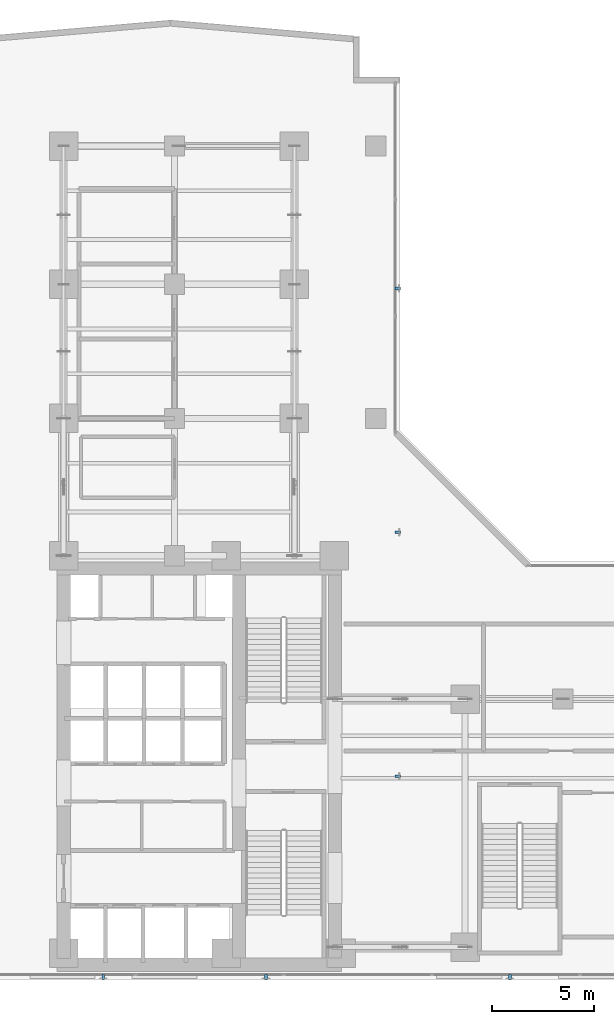
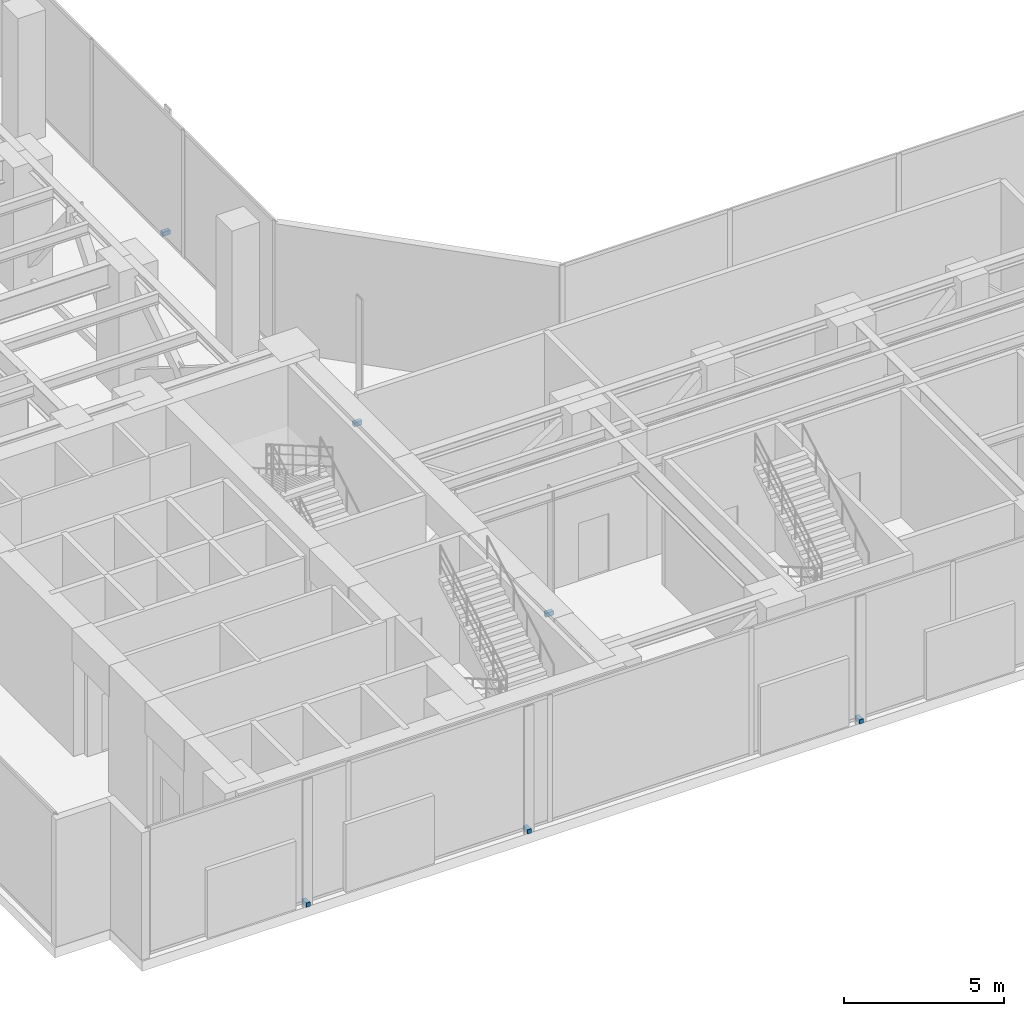
# One storey, part 34 of 37: 6 discrete accessories.
"""IFC4 building model written with IfcOpenShell, lengths in metres."""

from ifc_helpers import new_model, si_unit, direction, frame, origin, origin_with_axes, origin_2d, place, context, subcontext, project, spatial, rectangle, extrude, source, transform, mapped, material, type_object, element, save


model = new_model("IFC4")

# Units and contexts
model_context = context("Model", 3, precision=1e-05, world=origin(), true_north=direction((0.0, 1.0)))
body_context = subcontext(model_context, "Body", "Model", "MODEL_VIEW")
ifc_project = project(units=[si_unit("LENGTHUNIT", "METRE"), si_unit("AREAUNIT", "SQUARE_METRE"), si_unit("VOLUMEUNIT", "CUBIC_METRE"), si_unit("PLANEANGLEUNIT", "RADIAN"), si_unit("MASSUNIT", "GRAM", prefix="KILO")], contexts=[model_context])

# Site, building, storey
site_placement = place(None, origin())
site = spatial("IfcSite", under=ifc_project, at=site_placement, CompositionType="ELEMENT")
building_placement = place(site_placement, origin())
building = spatial("IfcBuilding", under=site, at=building_placement, Name="Kolvaren Waterfront Exchange", CompositionType="ELEMENT")
storey_placement = place(building_placement, frame((0.0, 0.0, 141.10009765625)))
storey = spatial("IfcBuildingStorey", under=building, at=storey_placement, Name="L36", CompositionType="ELEMENT", Elevation=141.10009765625)

# Discrete accessories
ifc_material = material(Name="Stainless steel 316", Category="steel")
discrete_accessory_type = type_object("IfcDiscreteAccessoryType", Name="ARC-BRK-FIN", PredefinedType="BRACKET", material=ifc_material)
shared_shape = source(origin_with_axes(), body_context, "Body", "SweptSolid", [
    extrude(rectangle(XDim=0.280029296875, YDim=0.139892578125, at=origin_2d()), origin(), (0.0, 0.0, 1.0), 0.159912109375),
])
for number, where, z_axis, x_axis, name in (
    (1, (9.39990234375, 3.719970703125, 0.0), (0.0, 0.0, 1.0), (0.0, -1.0, 0.0), "L36 bronze fin anchor bracket FIN-L36-S1"),
    (2, (17.39990234375, 3.719970703125, 0.0), (0.0, 0.0, 1.0), (0.0, -1.0, 0.0), "L36 bronze fin anchor bracket FIN-L36-S2"),
    (3, (29.39990234375, 3.719970703125, 0.0), (0.0, 0.0, 1.0), (0.0, -1.0, 0.0), "L36 bronze fin anchor bracket FIN-L36-S3"),
    (4, (23.8798828125, 13.60009765625, 0.0), (0.0, 0.0, 1.0), (1.0, 0.0, 0.0), "L36 bronze fin anchor bracket FIN-L36-E1"),
    (5, (23.8798828125, 25.60009765625, 0.0), (0.0, 0.0, 1.0), (1.0, 0.0, 0.0), "L36 bronze fin anchor bracket FIN-L36-E2"),
    (6, (23.8798828125, 37.60009765625, 0.0), (0.0, 0.0, 1.0), (1.0, 0.0, 0.0), "L36 bronze fin anchor bracket FIN-L36-E3"),
):
    element("IfcDiscreteAccessory", number, at=place(storey_placement, frame(where, z_axis=z_axis, x_axis=x_axis)), inside=storey, type_object=discrete_accessory_type, Name=name, PredefinedType="BRACKET", context=body_context, shape_type="MappedRepresentation", body=[
        mapped(shared_shape, transform((0.0, 0.0, 0.0), x_axis=(1.0, 0.0, 0.0), y_axis=(0.0, 1.0, 0.0), z_axis=(0.0, 0.0, 1.0), scale=1.0)),
    ])

save(model, "model.ifc")
